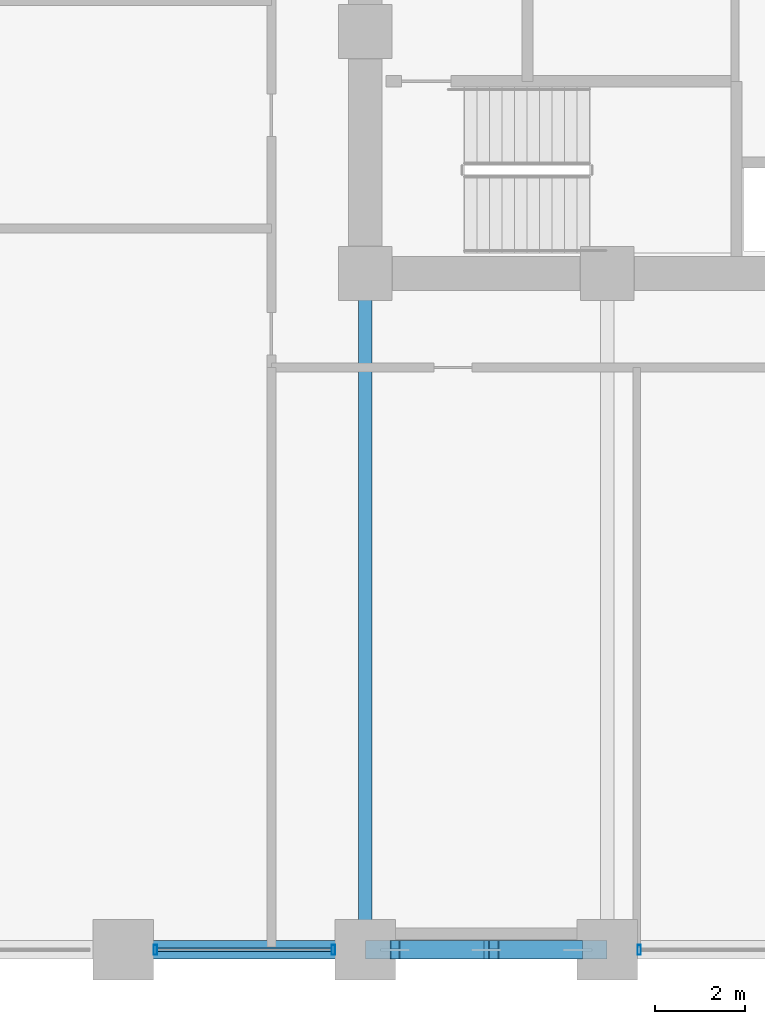
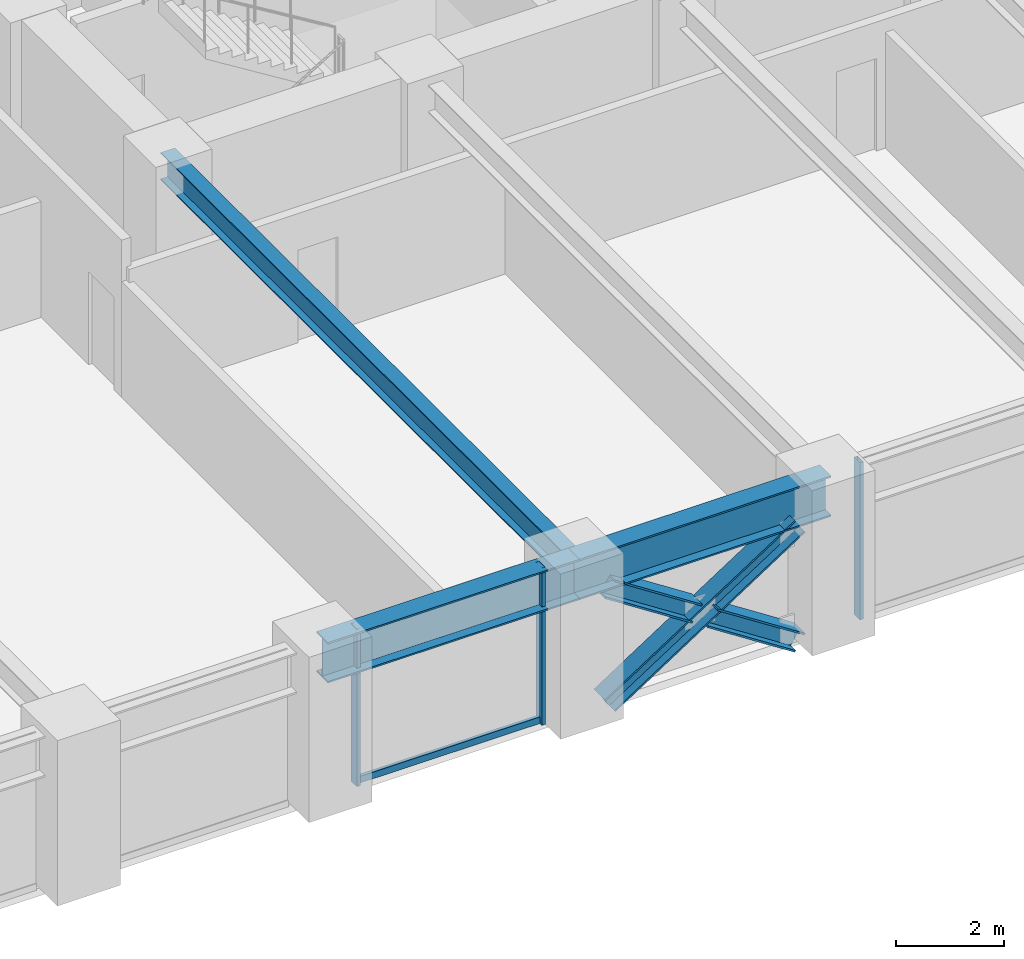
# One storey, part 4 of 24: 7 members, 3 beams, 2 elements without a shape of their own.
"""IFC4 building model written with IfcOpenShell, lengths in metres."""

import ifcopenshell
import ifcopenshell.guid

model = None  # the IFC model being written
_history = None  # IfcOwnerHistory: only IFC2X3 demands one
_inside = {}  # id of a spatial element -> (the spatial element, [elements in it])
_under = {}  # id of a project, library or spatial element -> (it, [spatial elements below it])
_declared = {}  # id of a project -> (the project, [libraries it declares])
_typed = {}  # id of a type object -> (the type object, [elements of that type])
_made_of = {}  # id of a material, layer set ... -> (it, [elements and type objects made of it])


def new_model(schema):
    """Start an empty IFC model of exactly this schema.

    Asked for "IFC4X3", IfcOpenShell would pick the latest addendum, in which some entities
    have other attributes; the version numbers below select the first issue.
    IFC2X3 requires an IfcOwnerHistory on every rooted entity: one is made here for all.
    """
    global model, _history
    if schema == "IFC4X3":
        model = ifcopenshell.file(schema_version=(4, 3, 0, 0))
    else:
        model = ifcopenshell.file(schema=schema)
    _inside.clear()
    _under.clear()
    _declared.clear()
    _typed.clear()
    _made_of.clear()
    _history = None
    if model.schema == "IFC2X3":
        org = make("IfcOrganization", Name="unknown")
        user = make(
            "IfcPersonAndOrganization",
            ThePerson=make("IfcPerson", FamilyName="unknown"),
            TheOrganization=org,
        )
        app = make(
            "IfcApplication",
            ApplicationDeveloper=org,
            Version="unknown",
            ApplicationFullName="unknown",
            ApplicationIdentifier="unknown",
        )
        _history = make(
            "IfcOwnerHistory",
            OwningUser=user,
            OwningApplication=app,
            ChangeAction="ADDED",
            CreationDate=0,
        )
    return model


def make(cls, **values):
    """One entity of the class cls with the attributes given. An attribute that is None is left unset."""
    return model.create_entity(
        cls, **{name: value for name, value in values.items() if value is not None}
    )


def rooted(cls, **values):
    """An entity with a GlobalId (a new one), such as an element, a storey or a relation."""
    return make(cls, GlobalId=ifcopenshell.guid.new(), OwnerHistory=_history, **values)


def si_unit(unit_type, name, prefix=None):
    """IfcSIUnit, for example si_unit("LENGTHUNIT", "METRE", prefix="MILLI")."""
    return make("IfcSIUnit", UnitType=unit_type, Prefix=prefix, Name=name)


def assignment(units):
    """IfcUnitAssignment: the units of a project."""
    return None if units is None else make("IfcUnitAssignment", Units=units)


def point(xyz):
    """IfcCartesianPoint."""
    return None if xyz is None else make("IfcCartesianPoint", Coordinates=xyz)


def direction(xyz):
    """IfcDirection."""
    return None if xyz is None else make("IfcDirection", DirectionRatios=xyz)


def frame(location, z_axis=None, x_axis=None):
    """IfcAxis2Placement3D, a coordinate frame: its origin and axes. An axis left out is left unset."""
    return make(
        "IfcAxis2Placement3D",
        Location=point(location),
        Axis=direction(z_axis),
        RefDirection=direction(x_axis),
    )


def frame_2d(location, x_axis=None):
    """IfcAxis2Placement2D, a coordinate frame in the plane: its origin and x axis."""
    return make(
        "IfcAxis2Placement2D", Location=point(location), RefDirection=direction(x_axis)
    )


def origin():
    """The frame at (0, 0, 0) with its axes left unset."""
    return frame((0.0, 0.0, 0.0))


def origin_2d():
    """The frame at (0, 0) in the plane with its x axis left unset."""
    return frame_2d((0.0, 0.0))


def place(relative_to, where):
    """IfcLocalPlacement: puts the frame where relative to a parent placement (None: the world)."""
    return make(
        "IfcLocalPlacement", PlacementRelTo=relative_to, RelativePlacement=where
    )


def context(
    kind, dimensions, precision=None, world=None, true_north=None, identifier=None
):
    """IfcGeometricRepresentationContext, for example the 3D "Model" context."""
    return make(
        "IfcGeometricRepresentationContext",
        ContextIdentifier=identifier,
        ContextType=kind,
        CoordinateSpaceDimension=dimensions,
        Precision=precision,
        WorldCoordinateSystem=world,
        TrueNorth=true_north,
    )


def subcontext(parent, identifier, kind, view, scale=None):
    """IfcGeometricRepresentationSubContext, for example "Body" below "Model"."""
    return make(
        "IfcGeometricRepresentationSubContext",
        ContextIdentifier=identifier,
        ContextType=kind,
        ParentContext=parent,
        TargetScale=scale,
        TargetView=view,
    )


def project(units=None, contexts=None):
    """IfcProject with its units and contexts."""
    return rooted(
        "IfcProject",
        Name="project",
        RepresentationContexts=contexts,
        UnitsInContext=assignment(units),
    )


def spatial(cls, under=None, at=None, **own):
    """A site, building, storey or space (cls), placed at a placement, below another one or the project."""
    s = rooted(cls, ObjectPlacement=at, **own)
    if under is not None:
        _under.setdefault(under.id(), (under, []))[1].append(s)
    return s


def profile(cls, at=None, kind="AREA", **sizes):
    """A parametric profile (cls). Its sizes go by their IFC names, for example OverallWidth=200.0."""
    return make(cls, ProfileType=kind, Position=at, **sizes)


def hollow_rectangle(**sizes):
    """IfcRectangleHollowProfileDef."""
    return profile("IfcRectangleHollowProfileDef", **sizes)


def i_section(**sizes):
    """IfcIShapeProfileDef."""
    return profile("IfcIShapeProfileDef", **sizes)


def extrude(swept, where, along, depth):
    """IfcExtrudedAreaSolid: the profile swept, set in the frame where, extruded along a direction by depth."""
    return make(
        "IfcExtrudedAreaSolid",
        SweptArea=swept,
        Position=where,
        ExtrudedDirection=direction(along),
        Depth=depth,
    )


def shape(context_of_items, identifier, shape_type, items):
    """IfcShapeRepresentation: the items that make up one representation, for example the "Body"."""
    return make(
        "IfcShapeRepresentation",
        ContextOfItems=context_of_items,
        RepresentationIdentifier=identifier,
        RepresentationType=shape_type,
        Items=items,
    )


def material(Name=None, Category=None):
    """IfcMaterial."""
    return make("IfcMaterial", Name=Name, Category=Category)


def layer(
    of_material, thickness, ventilated=None, Name=None, Category=None, Priority=None
):
    """IfcMaterialLayer: one layer of a wall or slab, of a material (None: an air gap)."""
    return make(
        "IfcMaterialLayer",
        Material=of_material,
        LayerThickness=thickness,
        IsVentilated=ventilated,
        Name=Name,
        Category=Category,
        Priority=Priority,
    )


def layer_set(layers, Name=None):
    """IfcMaterialLayerSet."""
    return make("IfcMaterialLayerSet", MaterialLayers=layers, LayerSetName=Name)


def material_profile(
    of_material, cross_section, Name=None, Category=None, Priority=None
):
    """IfcMaterialProfile: a cross section and its material."""
    return make(
        "IfcMaterialProfile",
        Name=Name,
        Material=of_material,
        Profile=cross_section,
        Priority=Priority,
        Category=Category,
    )


def profile_set(profiles, Name=None, composite=None):
    """IfcMaterialProfileSet."""
    return make(
        "IfcMaterialProfileSet",
        Name=Name,
        MaterialProfiles=profiles,
        CompositeProfile=composite,
    )


def made_of(thing, what):
    """Note that an element or type object is made of a material, layer set ...; save() writes the relation."""
    if what is not None:
        _made_of.setdefault(what.id(), (what, []))[1].append(thing)
    return thing


def type_object(cls, material=None, **own):
    """A type object (cls), such as IfcWallType, which elements share."""
    return made_of(rooted(cls, **own), material)


def element(
    cls,
    number,
    at=None,
    inside=None,
    cuts=None,
    type_object=None,
    material=None,
    context=None,
    identifier="Body",
    shape_type=None,
    held_by="IfcProductDefinitionShape",
    body=None,
    shapes=None,
    **own,
):
    """One element of the class cls, such as IfcWall. Its Tag is "e" and its number.

    at: its placement. inside: the storey or other place that contains it. cuts: it is an
    opening in that element (IfcRelVoidsElement). A single representation is given by context,
    identifier, shape_type and body (its items); several are given by shapes. held_by: the class
    of the entity that holds the representations. save() writes the other relations.
    """
    e = rooted(cls, Tag="e%d" % number, ObjectPlacement=at, **own)
    if body is not None:
        shapes = [shape(context, identifier, shape_type, body)]
    if shapes is not None:
        e.Representation = make(held_by, Representations=shapes)
    if inside is not None:
        _inside.setdefault(inside.id(), (inside, []))[1].append(e)
    if cuts is not None:
        rooted(
            "IfcRelVoidsElement", RelatingBuildingElement=cuts, RelatedOpeningElement=e
        )
    if type_object is not None:
        _typed.setdefault(type_object.id(), (type_object, []))[1].append(e)
    return made_of(e, material)


def aggregate(whole, parts):
    """IfcRelAggregates: a whole, such as a stair, and the parts it consists of."""
    return rooted("IfcRelAggregates", RelatingObject=whole, RelatedObjects=parts)


def save(model, path):
    """Write the relations noted so far, then the file.

    IfcRelAggregates (storeys below a building ...), IfcRelContainedInSpatialStructure (elements
    in a storey), IfcRelDefinesByType, IfcRelAssociatesMaterial and IfcRelDeclares: one each for
    every whole, place, type object, material and project.
    """
    for whole, parts in _under.values():
        aggregate(whole, parts)
    for where, things in _inside.values():
        rooted(
            "IfcRelContainedInSpatialStructure",
            RelatedElements=things,
            RelatingStructure=where,
        )
    for kind, things in _typed.values():
        rooted("IfcRelDefinesByType", RelatedObjects=things, RelatingType=kind)
    for what, things in _made_of.values():
        rooted("IfcRelAssociatesMaterial", RelatedObjects=things, RelatingMaterial=what)
    for by, libraries in _declared.values():
        rooted("IfcRelDeclares", RelatingContext=by, RelatedDefinitions=libraries)
    model.write(path)


model = new_model("IFC4")

# Units and contexts
model_context = context("Model", 3, precision=1e-05, world=origin(), true_north=direction((0.0, 1.0)))
body_context = subcontext(model_context, "Body", "Model", "MODEL_VIEW")
ifc_project = project(units=[si_unit("LENGTHUNIT", "METRE"), si_unit("AREAUNIT", "SQUARE_METRE"), si_unit("VOLUMEUNIT", "CUBIC_METRE"), si_unit("PLANEANGLEUNIT", "RADIAN"), si_unit("MASSUNIT", "GRAM", prefix="KILO")], contexts=[model_context])

# Site, building, storey
site_placement = place(None, origin())
site = spatial("IfcSite", under=ifc_project, at=site_placement, CompositionType="ELEMENT")
building_placement = place(site_placement, origin())
building = spatial("IfcBuilding", under=site, at=building_placement, Name="Surkhivell Harbour Commons", CompositionType="ELEMENT")
storey_placement = place(building_placement, frame((0.0, 0.0, 26.25)))
storey = spatial("IfcBuildingStorey", under=building, at=storey_placement, Name="L06", CompositionType="ELEMENT", Elevation=26.25)

# Beams
ifc_material_1 = material(Name="Steel S355", Category="steel")
ifc_material_profile_1 = material_profile(ifc_material_1, i_section(OverallWidth=0.306884765625, OverallDepth=0.6201171875, WebThickness=0.01416015625, FlangeThickness=0.023681640625, at=origin_2d()), Name="UB610x305x179")
ifc_profile_set_1 = profile_set([ifc_material_profile_1], Name="Steel S355")
beam_type_1 = type_object("IfcBeamType", Name="BM-GRD-610A", PredefinedType="BEAM", material=ifc_profile_set_1)
beam_1_placement = place(storey_placement, frame((-10.800048828125, -25.89990234375, 3.260009765625), z_axis=(0.0, 1.0, 0.0), x_axis=(-1.0, 0.0, 0.0)))
element("IfcBeam", 1, at=beam_1_placement, inside=storey, type_object=beam_type_1, Name="L06 Floor Girder (-10.8,-25.9)", PredefinedType="BEAM", context=body_context, shape_type="SweptSolid", body=[
    extrude(i_section(OverallWidth=0.306884765625, OverallDepth=0.6201171875, WebThickness=0.01416015625, FlangeThickness=0.023681640625, at=origin_2d()), origin(), (0.0, 0.0, 1.0), 15.099853515625),
])
ifc_material_2 = material(Name="Steel S460", Category="steel")
ifc_material_profile_2 = material_profile(ifc_material_2, i_section(OverallWidth=0.419921875, OverallDepth=0.9208984375, WebThickness=0.021484375, FlangeThickness=0.03662109375, at=origin_2d()), Name="UB914x419x388")
ifc_profile_set_2 = profile_set([ifc_material_profile_2], Name="Steel S460")
beam_type_2 = type_object("IfcBeamType", Name="BM-SPN-914A", PredefinedType="SPANDREL", material=ifc_profile_set_2)
beam_2_placement = place(storey_placement, frame((-16.199951171875, -25.89990234375, 3.109619140625), z_axis=(1.0, 0.0, 0.0), x_axis=(0.0, 1.0, 0.0)))
element("IfcBeam", 2, at=beam_2_placement, inside=storey, type_object=beam_type_2, Name="L06 Tube Spandrel (-16.2,-25.9)", PredefinedType="SPANDREL", context=body_context, shape_type="SweptSolid", body=[
    extrude(i_section(OverallWidth=0.419921875, OverallDepth=0.9208984375, WebThickness=0.021484375, FlangeThickness=0.03662109375, at=origin_2d()), origin(), (0.0, 0.0, 1.0), 5.39990234375),
])
beam_3_placement = place(storey_placement, frame((-10.800048828125, -25.89990234375, 3.109619140625), z_axis=(1.0, 0.0, 0.0), x_axis=(0.0, 1.0, 0.0)))
element("IfcBeam", 3, at=beam_3_placement, inside=storey, type_object=beam_type_2, Name="L06 Tube Spandrel (-10.8,-25.9)", PredefinedType="SPANDREL", context=body_context, shape_type="SweptSolid", body=[
    extrude(i_section(OverallWidth=0.419921875, OverallDepth=0.9208984375, WebThickness=0.021484375, FlangeThickness=0.03662109375, at=origin_2d()), origin(), (0.0, 0.0, 1.0), 5.400146484375),
])

# Curtain wall, members
ifc_material_3 = material(Name="Anodised pale-metal aluminium and insulated glazing", Category="aluminium")
ifc_layer = layer(ifc_material_3, 0.219970703125)
ifc_layer_set = layer_set([ifc_layer], Name="Anodised pale-metal aluminium and insulated glazing")
curtain_wall_type = type_object("IfcCurtainWallType", Name="CW-SYS-Z1", PredefinedType="NOTDEFINED", material=ifc_layer_set)
curtain_wall_1_placement = place(storey_placement, origin())
curtain_wall_1 = element("IfcCurtainWall", 4, at=curtain_wall_1_placement, inside=storey, type_object=curtain_wall_type, Name="L06 Curtain Wall CW-L06-E00S1", PredefinedType="NOTDEFINED")
ifc_material_4 = material(Name="Anodised pale-metal aluminium alloy 6063-T6", Category="aluminium")
ifc_material_profile_3 = material_profile(ifc_material_4, hollow_rectangle(XDim=0.074951171875, YDim=0.219970703125, WallThickness=0.00390625, at=origin_2d()), Name="ALU-MULL-75x220")
ifc_profile_set_3 = profile_set([ifc_material_profile_3], Name="Anodised pale-metal aluminium alloy 6063-T6")
member_type_1 = type_object("IfcMemberType", Name="CWM-220", PredefinedType="MULLION", material=ifc_profile_set_3)
member_1_placement = place(storey_placement, frame((-15.485595703125, -25.89990234375, 0.0), z_axis=(0.0, 0.0, 1.0), x_axis=(1.0, 0.0, 0.0)))
member_1 = element("IfcMember", 5, at=member_1_placement, type_object=member_type_1, Name="CW-Z1 mullion 3", PredefinedType="MULLION", context=body_context, shape_type="SweptSolid", body=[
    extrude(hollow_rectangle(XDim=0.074951171875, YDim=0.219970703125, WallThickness=0.00390625, at=origin_2d()), origin(), (0.0, 0.0, 1.0), 3.570068359375),
])
member_2_placement = place(storey_placement, frame((-11.514404296875, -25.89990234375, 0.0), z_axis=(0.0, 0.0, 1.0), x_axis=(1.0, 0.0, 0.0)))
member_2 = element("IfcMember", 6, at=member_2_placement, type_object=member_type_1, Name="CW-Z1 mullion 4", PredefinedType="MULLION", context=body_context, shape_type="SweptSolid", body=[
    extrude(hollow_rectangle(XDim=0.074951171875, YDim=0.219970703125, WallThickness=0.00390625, at=origin_2d()), origin(), (0.0, 0.0, 1.0), 3.570068359375),
])

# Curtain wall, member
curtain_wall_2_placement = place(storey_placement, origin())
curtain_wall_2 = element("IfcCurtainWall", 7, at=curtain_wall_2_placement, inside=storey, type_object=curtain_wall_type, Name="L06 Curtain Wall CW-L06-E00S2", PredefinedType="NOTDEFINED")
member_3_placement = place(storey_placement, frame((-4.685546875, -25.89990234375, 0.0), z_axis=(0.0, 0.0, 1.0), x_axis=(1.0, 0.0, 0.0)))
member_3 = element("IfcMember", 8, at=member_3_placement, type_object=member_type_1, Name="CW-Z1 mullion 1", PredefinedType="MULLION", context=body_context, shape_type="SweptSolid", body=[
    extrude(hollow_rectangle(XDim=0.074951171875, YDim=0.219970703125, WallThickness=0.00390625, at=origin_2d()), origin(), (0.0, 0.0, 1.0), 3.570068359375),
])
aggregate(curtain_wall_2, [member_3])

# Member
ifc_material_profile_4 = material_profile(ifc_material_4, hollow_rectangle(XDim=0.074951171875, YDim=0.14990234375, WallThickness=0.00341796875, at=origin_2d()), Name="ALU-TRAN-75x150")
ifc_profile_set_4 = profile_set([ifc_material_profile_4], Name="Anodised pale-metal aluminium alloy 6063-T6")
member_type_2 = type_object("IfcMemberType", Name="CWT-150", PredefinedType="USERDEFINED", material=ifc_profile_set_4)
member_4_placement = place(storey_placement, frame((-15.447998046875, -25.89990234375, 0.074951171875), z_axis=(1.0, 0.0, 0.0), x_axis=(0.0, 1.0, 0.0)))
member_4 = element("IfcMember", 9, at=member_4_placement, type_object=member_type_2, Name="CW-Z1 transom 3.1", ObjectType="TRANSOM", PredefinedType="USERDEFINED", context=body_context, shape_type="SweptSolid", body=[
    extrude(hollow_rectangle(XDim=0.074951171875, YDim=0.14990234375, WallThickness=0.00341796875, at=origin_2d()), origin(), (0.0, 0.0, 1.0), 3.89599609375),
])

aggregate(curtain_wall_1, [member_1, member_2, member_4])

# Members
ifc_material_profile_5 = material_profile(ifc_material_2, i_section(OverallWidth=0.406005859375, OverallDepth=0.416015625, WebThickness=0.026611328125, FlangeThickness=0.0390625, at=origin_2d()), Name="HD400x382")
ifc_profile_set_5 = profile_set([ifc_material_profile_5], Name="Steel S460")
member_type_3 = type_object("IfcMemberType", Name="MEM-BRC-HD382", PredefinedType="BRACE", material=ifc_profile_set_5)
member_5_placement = place(storey_placement, frame((-10.139892578125, -25.89990234375, 0.008056640625), z_axis=(0.839088897369, 0.0, 0.543994321949), x_axis=(0.0, 1.0, 0.0)))
element("IfcMember", 10, at=member_5_placement, inside=storey, type_object=member_type_3, Name="L06 Perimeter Mega-Brace MB- 07", PredefinedType="BRACE", context=body_context, shape_type="SweptSolid", body=[
    extrude(i_section(OverallWidth=0.406005859375, OverallDepth=0.416015625, WebThickness=0.026611328125, FlangeThickness=0.0390625, at=origin_2d()), origin(), (0.0, 0.0, 1.0), 4.8623046875),
])
for number, where, z_axis, x_axis, name in (
    (11, (-6.06005859375, -25.89990234375, 0.008056640625), (-0.83908547242, 0.0, 0.543999604756), (0.0, -1.0, 0.0), "L06 Perimeter Mega-Brace MB- 08"),
    (12, (-8.267578125, -25.89990234375, 1.439208984375), (-0.83908547242, 0.0, 0.543999604756), (0.0, -1.0, 0.0), "L06 Perimeter Mega-Brace MB- 09"),
):
    element("IfcMember", number, at=place(storey_placement, frame(where, z_axis=z_axis, x_axis=x_axis)), inside=storey, type_object=member_type_3, Name=name, PredefinedType="BRACE", context=body_context, shape_type="SweptSolid", body=[
        extrude(i_section(OverallWidth=0.406005859375, OverallDepth=0.416015625, WebThickness=0.026611328125, FlangeThickness=0.0390625, at=origin_2d()), origin(), (0.0, 0.0, 1.0), 2.2314453125),
    ])

save(model, "model.ifc")
